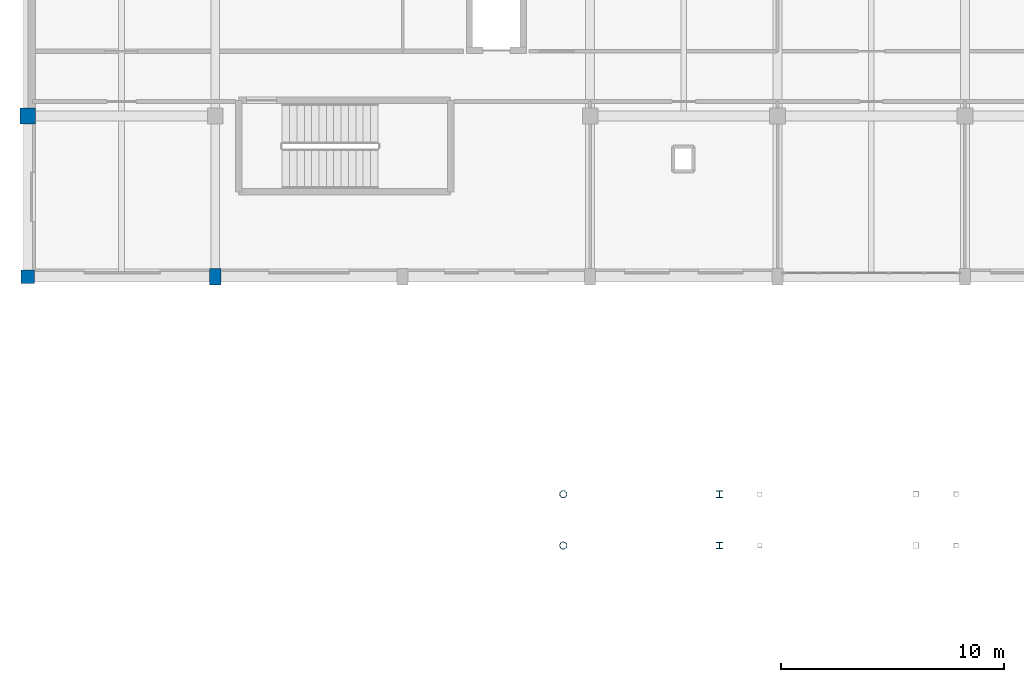
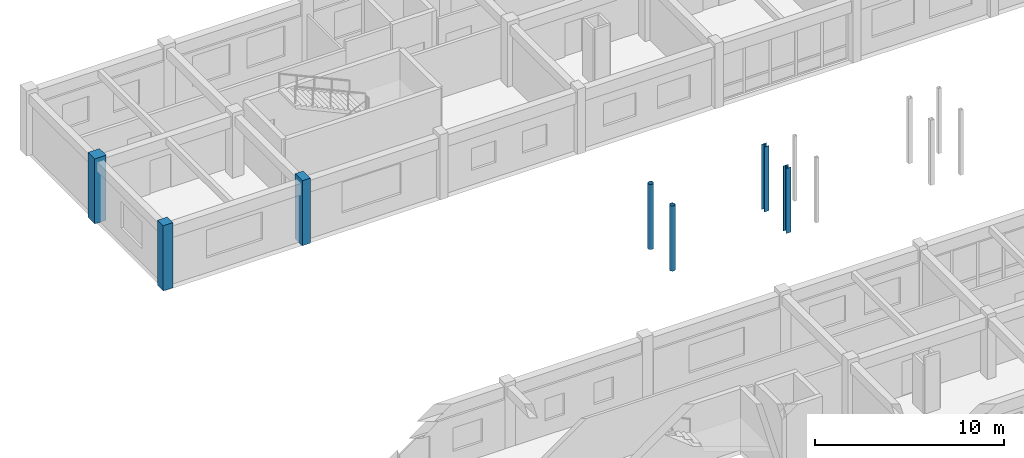
# One storey, part 12 of 90: 7 columns.
"""IFC4 building model written with IfcOpenShell, lengths in metres."""

from ifc_helpers import new_model, si_unit, direction, frame, origin, origin_2d, place, context, subcontext, project, spatial, rectangle, hollow_circle, i_section, extrude, material, material_profile, profile_set, type_object, element, save


model = new_model("IFC4")

# Units and contexts
model_context = context("Model", 3, precision=1e-05, world=origin(), true_north=direction((0.0, 1.0)))
body_context = subcontext(model_context, "Body", "Model", "MODEL_VIEW")
ifc_project = project(units=[si_unit("LENGTHUNIT", "METRE"), si_unit("AREAUNIT", "SQUARE_METRE"), si_unit("VOLUMEUNIT", "CUBIC_METRE"), si_unit("PLANEANGLEUNIT", "RADIAN"), si_unit("MASSUNIT", "GRAM", prefix="KILO")], contexts=[model_context])

# Site, building, storey
site_placement = place(None, origin())
site = spatial("IfcSite", under=ifc_project, at=site_placement, CompositionType="ELEMENT")
building_placement = place(site_placement, origin())
building = spatial("IfcBuilding", under=site, at=building_placement, Name="Malvenik Polytechnic", CompositionType="ELEMENT")
storey_placement = place(building_placement, frame((0.0, 0.0, 9.300048828125)))
storey = spatial("IfcBuildingStorey", under=building, at=storey_placement, Name="L02", CompositionType="ELEMENT", Elevation=9.300048828125)

# Columns
ifc_material_1 = material(Name="Concrete C40/50", Category="concrete")
ifc_material_profile_1 = material_profile(ifc_material_1, rectangle(XDim=0.699951171875, YDim=0.699951171875, at=origin_2d()), Name="RC COL 700x700")
ifc_profile_set_1 = profile_set([ifc_material_profile_1], Name="Concrete C40/50")
column_type_1 = type_object("IfcColumnType", Name="STR-COL-C-04", PredefinedType="COLUMN", material=ifc_profile_set_1)
column_1_placement = place(storey_placement, frame((0.0, 122.39990234375, 0.0), z_axis=(0.0, 0.0, 1.0), x_axis=(1.0, 0.0, 0.0)))
element("IfcColumn", 1, at=column_1_placement, inside=storey, type_object=column_type_1, Name="Column C-04 L02 (0.0,122.4)", PredefinedType="COLUMN", context=body_context, shape_type="SweptSolid", body=[
    extrude(rectangle(XDim=0.699951171875, YDim=0.699951171875, at=origin_2d()), origin(), (0.0, 0.0, 1.0), 4.199951171875),
])
ifc_material_2 = material(Name="Concrete C35/45", Category="concrete")
ifc_material_profile_2 = material_profile(ifc_material_2, rectangle(XDim=0.60009765625, YDim=0.60009765625, at=origin_2d()), Name="RC COL 600x600")
ifc_profile_set_2 = profile_set([ifc_material_profile_2], Name="Concrete C35/45")
column_type_2 = type_object("IfcColumnType", Name="STR-COL-C-06", PredefinedType="COLUMN", material=ifc_profile_set_2)
column_2_placement = place(storey_placement, frame((0.0, 115.199951171875, 0.0), z_axis=(0.0, 0.0, 1.0), x_axis=(1.0, 0.0, 0.0)))
element("IfcColumn", 2, at=column_2_placement, inside=storey, type_object=column_type_2, Name="Column C-06 L02 (0.0,115.2)", PredefinedType="COLUMN", context=body_context, shape_type="SweptSolid", body=[
    extrude(rectangle(XDim=0.60009765625, YDim=0.60009765625, at=origin_2d()), origin(), (0.0, 0.0, 1.0), 4.199951171875),
])
ifc_material_profile_3 = material_profile(ifc_material_2, rectangle(XDim=0.5, YDim=0.75, at=origin_2d()), Name="RC COL 750x500")
ifc_profile_set_3 = profile_set([ifc_material_profile_3], Name="Concrete C35/45")
column_type_3 = type_object("IfcColumnType", Name="STR-COL-C-14", PredefinedType="COLUMN", material=ifc_profile_set_3)
column_3_placement = place(storey_placement, frame((8.39990234375, 115.199951171875, 0.0), z_axis=(0.0, 0.0, 1.0), x_axis=(1.0, 0.0, 0.0)))
element("IfcColumn", 3, at=column_3_placement, inside=storey, type_object=column_type_3, Name="Column C-14 L02 (8.4,115.2)", PredefinedType="COLUMN", context=body_context, shape_type="SweptSolid", body=[
    extrude(rectangle(XDim=0.5, YDim=0.75, at=origin_2d()), origin(), (0.0, 0.0, 1.0), 4.199951171875),
])
ifc_material_3 = material(Name="Steel S355J2H", Category="steel")
ifc_material_profile_4 = material_profile(ifc_material_3, hollow_circle(Radius=0.161865234375, WallThickness=0.012451171875, at=origin_2d()), Name="CHS 323.9x12.5")
ifc_profile_set_4 = profile_set([ifc_material_profile_4], Name="Steel S355J2H")
column_type_4 = type_object("IfcColumnType", Name="STR-SCOL-SC-04", PredefinedType="COLUMN", material=ifc_profile_set_4)
for number, where, z_axis, x_axis, name in (
    (4, (24.0, 103.14990234375, 0.0), (0.0, 0.0, 1.0), (1.0, 0.0, 0.0), "Bridge-Ramp Support Column SC-04 L02"),
    (5, (24.0, 105.449951171875, 0.0), (0.0, 0.0, 1.0), (1.0, 0.0, 0.0), "Bridge-Ramp Support Column SC-04 L02"),
):
    element("IfcColumn", number, at=place(storey_placement, frame(where, z_axis=z_axis, x_axis=x_axis)), inside=storey, type_object=column_type_4, Name=name, PredefinedType="COLUMN", context=body_context, shape_type="SweptSolid", body=[
        extrude(hollow_circle(Radius=0.161865234375, WallThickness=0.012451171875, at=origin_2d()), origin(), (0.0, 0.0, 1.0), 4.199951171875),
    ])
ifc_material_4 = material(Name="Steel S355", Category="steel")
ifc_material_profile_5 = material_profile(ifc_material_4, i_section(OverallWidth=0.300048828125, OverallDepth=0.300048828125, WebThickness=0.010986328125, FlangeThickness=0.01904296875, FilletRadius=0.027099609375, at=origin_2d()), Name="HEB 300")
ifc_profile_set_5 = profile_set([ifc_material_profile_5], Name="Steel S355")
column_type_5 = type_object("IfcColumnType", Name="STR-SCOL-SC-05", PredefinedType="COLUMN", material=ifc_profile_set_5)
for number, where, z_axis, x_axis, name in (
    (6, (31.0, 103.14990234375, 0.0), (0.0, 0.0, 1.0), (1.0, 0.0, 0.0), "Bridge-Ramp Support Column SC-05 L02"),
    (7, (31.0, 105.449951171875, 0.0), (0.0, 0.0, 1.0), (1.0, 0.0, 0.0), "Bridge-Ramp Support Column SC-05 L02"),
):
    element("IfcColumn", number, at=place(storey_placement, frame(where, z_axis=z_axis, x_axis=x_axis)), inside=storey, type_object=column_type_5, Name=name, PredefinedType="COLUMN", context=body_context, shape_type="SweptSolid", body=[
        extrude(i_section(OverallWidth=0.300048828125, OverallDepth=0.300048828125, WebThickness=0.010986328125, FlangeThickness=0.01904296875, FilletRadius=0.027099609375, at=origin_2d()), origin(), (0.0, 0.0, 1.0), 4.199951171875),
    ])

save(model, "model.ifc")
